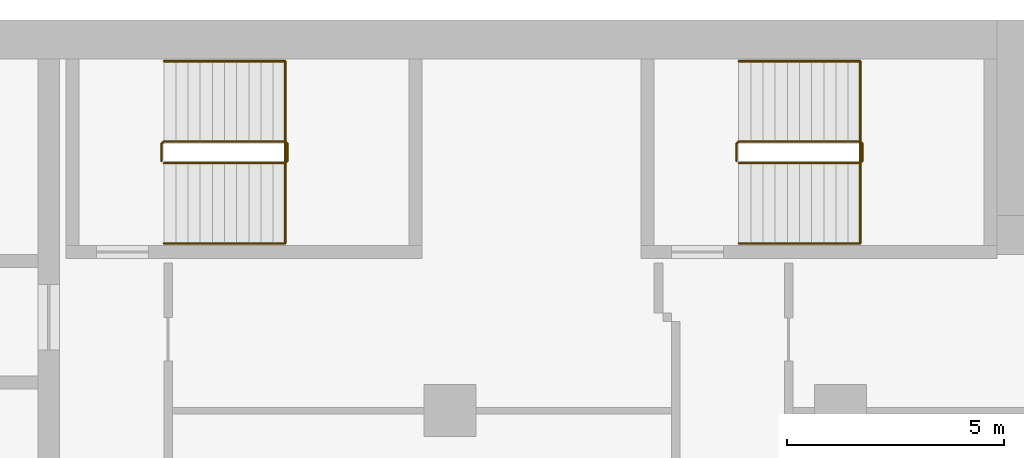
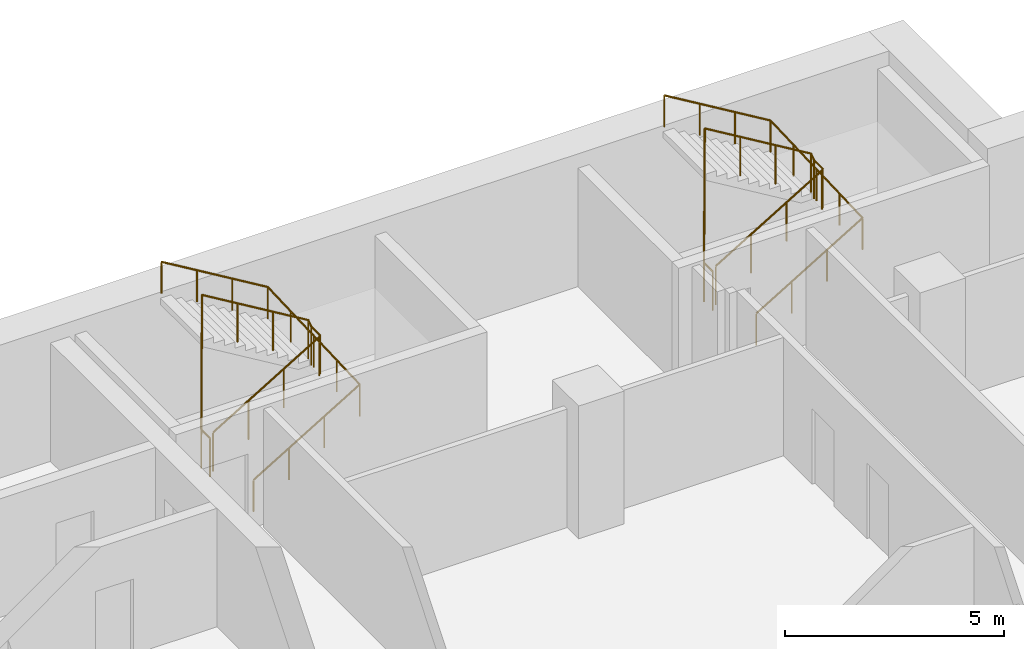
# One storey, part 23 of 23: 4 railings.
"""IFC4 building model written with IfcOpenShell, lengths in metres."""

import ifcopenshell
import ifcopenshell.guid

model = None  # the IFC model being written
_history = None  # IfcOwnerHistory: only IFC2X3 demands one
_inside = {}  # id of a spatial element -> (the spatial element, [elements in it])
_under = {}  # id of a project, library or spatial element -> (it, [spatial elements below it])
_declared = {}  # id of a project -> (the project, [libraries it declares])
_typed = {}  # id of a type object -> (the type object, [elements of that type])
_made_of = {}  # id of a material, layer set ... -> (it, [elements and type objects made of it])


def new_model(schema):
    """Start an empty IFC model of exactly this schema.

    Asked for "IFC4X3", IfcOpenShell would pick the latest addendum, in which some entities
    have other attributes; the version numbers below select the first issue.
    IFC2X3 requires an IfcOwnerHistory on every rooted entity: one is made here for all.
    """
    global model, _history
    if schema == "IFC4X3":
        model = ifcopenshell.file(schema_version=(4, 3, 0, 0))
    else:
        model = ifcopenshell.file(schema=schema)
    _inside.clear()
    _under.clear()
    _declared.clear()
    _typed.clear()
    _made_of.clear()
    _history = None
    if model.schema == "IFC2X3":
        org = make("IfcOrganization", Name="unknown")
        user = make(
            "IfcPersonAndOrganization",
            ThePerson=make("IfcPerson", FamilyName="unknown"),
            TheOrganization=org,
        )
        app = make(
            "IfcApplication",
            ApplicationDeveloper=org,
            Version="unknown",
            ApplicationFullName="unknown",
            ApplicationIdentifier="unknown",
        )
        _history = make(
            "IfcOwnerHistory",
            OwningUser=user,
            OwningApplication=app,
            ChangeAction="ADDED",
            CreationDate=0,
        )
    return model


def make(cls, **values):
    """One entity of the class cls with the attributes given. An attribute that is None is left unset."""
    return model.create_entity(
        cls, **{name: value for name, value in values.items() if value is not None}
    )


def rooted(cls, **values):
    """An entity with a GlobalId (a new one), such as an element, a storey or a relation."""
    return make(cls, GlobalId=ifcopenshell.guid.new(), OwnerHistory=_history, **values)


def si_unit(unit_type, name, prefix=None):
    """IfcSIUnit, for example si_unit("LENGTHUNIT", "METRE", prefix="MILLI")."""
    return make("IfcSIUnit", UnitType=unit_type, Prefix=prefix, Name=name)


def assignment(units):
    """IfcUnitAssignment: the units of a project."""
    return None if units is None else make("IfcUnitAssignment", Units=units)


def point(xyz):
    """IfcCartesianPoint."""
    return None if xyz is None else make("IfcCartesianPoint", Coordinates=xyz)


def direction(xyz):
    """IfcDirection."""
    return None if xyz is None else make("IfcDirection", DirectionRatios=xyz)


def frame(location, z_axis=None, x_axis=None):
    """IfcAxis2Placement3D, a coordinate frame: its origin and axes. An axis left out is left unset."""
    return make(
        "IfcAxis2Placement3D",
        Location=point(location),
        Axis=direction(z_axis),
        RefDirection=direction(x_axis),
    )


def frame_2d(location, x_axis=None):
    """IfcAxis2Placement2D, a coordinate frame in the plane: its origin and x axis."""
    return make(
        "IfcAxis2Placement2D", Location=point(location), RefDirection=direction(x_axis)
    )


def origin():
    """The frame at (0, 0, 0) with its axes left unset."""
    return frame((0.0, 0.0, 0.0))


def origin_2d():
    """The frame at (0, 0) in the plane with its x axis left unset."""
    return frame_2d((0.0, 0.0))


def place(relative_to, where):
    """IfcLocalPlacement: puts the frame where relative to a parent placement (None: the world)."""
    return make(
        "IfcLocalPlacement", PlacementRelTo=relative_to, RelativePlacement=where
    )


def context(
    kind, dimensions, precision=None, world=None, true_north=None, identifier=None
):
    """IfcGeometricRepresentationContext, for example the 3D "Model" context."""
    return make(
        "IfcGeometricRepresentationContext",
        ContextIdentifier=identifier,
        ContextType=kind,
        CoordinateSpaceDimension=dimensions,
        Precision=precision,
        WorldCoordinateSystem=world,
        TrueNorth=true_north,
    )


def subcontext(parent, identifier, kind, view, scale=None):
    """IfcGeometricRepresentationSubContext, for example "Body" below "Model"."""
    return make(
        "IfcGeometricRepresentationSubContext",
        ContextIdentifier=identifier,
        ContextType=kind,
        ParentContext=parent,
        TargetScale=scale,
        TargetView=view,
    )


def project(units=None, contexts=None):
    """IfcProject with its units and contexts."""
    return rooted(
        "IfcProject",
        Name="project",
        RepresentationContexts=contexts,
        UnitsInContext=assignment(units),
    )


def spatial(cls, under=None, at=None, **own):
    """A site, building, storey or space (cls), placed at a placement, below another one or the project."""
    s = rooted(cls, ObjectPlacement=at, **own)
    if under is not None:
        _under.setdefault(under.id(), (under, []))[1].append(s)
    return s


def profile(cls, at=None, kind="AREA", **sizes):
    """A parametric profile (cls). Its sizes go by their IFC names, for example OverallWidth=200.0."""
    return make(cls, ProfileType=kind, Position=at, **sizes)


def circle(**sizes):
    """IfcCircleProfileDef."""
    return profile("IfcCircleProfileDef", **sizes)


def extrude(swept, where, along, depth):
    """IfcExtrudedAreaSolid: the profile swept, set in the frame where, extruded along a direction by depth."""
    return make(
        "IfcExtrudedAreaSolid",
        SweptArea=swept,
        Position=where,
        ExtrudedDirection=direction(along),
        Depth=depth,
    )


def shape(context_of_items, identifier, shape_type, items):
    """IfcShapeRepresentation: the items that make up one representation, for example the "Body"."""
    return make(
        "IfcShapeRepresentation",
        ContextOfItems=context_of_items,
        RepresentationIdentifier=identifier,
        RepresentationType=shape_type,
        Items=items,
    )


def material(Name=None, Category=None):
    """IfcMaterial."""
    return make("IfcMaterial", Name=Name, Category=Category)


def made_of(thing, what):
    """Note that an element or type object is made of a material, layer set ...; save() writes the relation."""
    if what is not None:
        _made_of.setdefault(what.id(), (what, []))[1].append(thing)
    return thing


def type_object(cls, material=None, **own):
    """A type object (cls), such as IfcWallType, which elements share."""
    return made_of(rooted(cls, **own), material)


def element(
    cls,
    number,
    at=None,
    inside=None,
    cuts=None,
    type_object=None,
    material=None,
    context=None,
    identifier="Body",
    shape_type=None,
    held_by="IfcProductDefinitionShape",
    body=None,
    shapes=None,
    **own,
):
    """One element of the class cls, such as IfcWall. Its Tag is "e" and its number.

    at: its placement. inside: the storey or other place that contains it. cuts: it is an
    opening in that element (IfcRelVoidsElement). A single representation is given by context,
    identifier, shape_type and body (its items); several are given by shapes. held_by: the class
    of the entity that holds the representations. save() writes the other relations.
    """
    e = rooted(cls, Tag="e%d" % number, ObjectPlacement=at, **own)
    if body is not None:
        shapes = [shape(context, identifier, shape_type, body)]
    if shapes is not None:
        e.Representation = make(held_by, Representations=shapes)
    if inside is not None:
        _inside.setdefault(inside.id(), (inside, []))[1].append(e)
    if cuts is not None:
        rooted(
            "IfcRelVoidsElement", RelatingBuildingElement=cuts, RelatedOpeningElement=e
        )
    if type_object is not None:
        _typed.setdefault(type_object.id(), (type_object, []))[1].append(e)
    return made_of(e, material)


def aggregate(whole, parts):
    """IfcRelAggregates: a whole, such as a stair, and the parts it consists of."""
    return rooted("IfcRelAggregates", RelatingObject=whole, RelatedObjects=parts)


def save(model, path):
    """Write the relations noted so far, then the file.

    IfcRelAggregates (storeys below a building ...), IfcRelContainedInSpatialStructure (elements
    in a storey), IfcRelDefinesByType, IfcRelAssociatesMaterial and IfcRelDeclares: one each for
    every whole, place, type object, material and project.
    """
    for whole, parts in _under.values():
        aggregate(whole, parts)
    for where, things in _inside.values():
        rooted(
            "IfcRelContainedInSpatialStructure",
            RelatedElements=things,
            RelatingStructure=where,
        )
    for kind, things in _typed.values():
        rooted("IfcRelDefinesByType", RelatedObjects=things, RelatingType=kind)
    for what, things in _made_of.values():
        rooted("IfcRelAssociatesMaterial", RelatedObjects=things, RelatingMaterial=what)
    for by, libraries in _declared.values():
        rooted("IfcRelDeclares", RelatingContext=by, RelatedDefinitions=libraries)
    model.write(path)


model = new_model("IFC4")

# Units and contexts
model_context = context("Model", 3, precision=1e-05, world=origin(), true_north=direction((0.0, 1.0)))
body_context = subcontext(model_context, "Body", "Model", "MODEL_VIEW")
ifc_project = project(units=[si_unit("LENGTHUNIT", "METRE"), si_unit("AREAUNIT", "SQUARE_METRE"), si_unit("VOLUMEUNIT", "CUBIC_METRE"), si_unit("PLANEANGLEUNIT", "RADIAN"), si_unit("MASSUNIT", "GRAM", prefix="KILO")], contexts=[model_context])

# Site, building, storey
site_placement = place(None, origin())
site = spatial("IfcSite", under=ifc_project, at=site_placement, CompositionType="ELEMENT")
building_placement = place(site_placement, origin())
building = spatial("IfcBuilding", under=site, at=building_placement, Name="Hunhe Ridgeline Campus", CompositionType="ELEMENT")
storey_placement = place(building_placement, frame((0.0, 0.0, 152.300048828125)))
storey = spatial("IfcBuildingStorey", under=building, at=storey_placement, Name="L38", CompositionType="ELEMENT", Elevation=152.300048828125)

# Railings
ifc_material_1 = material(Name="Stainless steel balustrade", Category="steel")
railing_type_1 = type_object("IfcRailingType", Name="Stair guard 1100 stainless", PredefinedType="GUARDRAIL", material=ifc_material_1)
railing_1_placement = place(storey_placement, frame((38.39990234375, 95.699951171875, 0.168212890625)))
element("IfcRailing", 1, at=railing_1_placement, inside=storey, type_object=railing_type_1, Name="L38 stair E1 guard", PredefinedType="GUARDRAIL", context=body_context, shape_type="SweptSolid", body=[
    extrude(circle(Radius=0.02392578125, at=origin_2d()), frame((0.0, 0.0, 1.076171875), z_axis=(0.857275202839, 0.0, 0.514858452973), x_axis=(0.0, 1.0, 0.0)), (0.0, 0.0, 1.0), 3.26611328125),
    extrude(circle(Radius=0.02392578125, at=origin_2d()), frame((2.800048828125, 0.0, 2.7578125), z_axis=(0.707106781187, 0.707106781187, 0.0), x_axis=(-0.707106781187, 0.707106781187, 0.0)), (0.0, 0.0, 1.0), 0.07080078125),
    extrude(circle(Radius=0.02392578125, at=origin_2d()), frame((2.85009765625, 0.050048828125, 2.7578125), z_axis=(0.0, 1.0, 0.0), x_axis=(-1.0, 0.0, 0.0)), (0.0, 0.0, 1.0), 0.39990234375),
    extrude(circle(Radius=0.02392578125, at=origin_2d()), frame((2.85009765625, 0.449951171875, 2.7578125), z_axis=(-0.274243871929, 0.274243871929, 0.92172696468), x_axis=(-0.707106781187, -0.707106781187, 0.0)), (0.0, 0.0, 1.0), 0.1826171875),
    extrude(circle(Radius=0.02392578125, at=origin_2d()), frame((2.800048828125, 0.5, 2.92578125), z_axis=(-0.857242210791, 0.0, 0.514913383045), x_axis=(0.0, -1.0, 0.0)), (0.0, 0.0, 1.0), 3.266357421875),
    extrude(circle(Radius=0.02392578125, at=origin_2d()), frame((0.0, 0.5, 4.60791015625), z_axis=(-0.013458453615, -0.013524426427, -0.999817963389), x_axis=(0.708833529934, -0.705375805398, 0.0)), (0.0, 0.0, 1.0), 3.70068359375),
    extrude(circle(Radius=0.02392578125, at=origin_2d()), frame((-0.0498046875, 0.449951171875, 0.90771484375), z_axis=(0.0, -1.0, 0.0), x_axis=(1.0, 0.0, 0.0)), (0.0, 0.0, 1.0), 0.39990234375),
    extrude(circle(Radius=0.02099609375, at=origin_2d()), origin(), (0.0, 0.0, 1.0), 1.052001953125),
    extrude(circle(Radius=0.02099609375, at=origin_2d()), frame((0.933349609375, 0.0, 0.560546875)), (0.0, 0.0, 1.0), 1.052001953125),
    extrude(circle(Radius=0.02099609375, at=origin_2d()), frame((1.86669921875, 0.0, 1.12109375)), (0.0, 0.0, 1.0), 1.052001953125),
    extrude(circle(Radius=0.02099609375, at=origin_2d()), frame((2.800048828125, 0.0, 1.681640625)), (0.0, 0.0, 1.0), 1.052001953125),
    extrude(circle(Radius=0.02099609375, at=origin_2d()), frame((2.85009765625, 0.050048828125, 1.681640625)), (0.0, 0.0, 1.0), 1.052001953125),
    extrude(circle(Radius=0.02099609375, at=origin_2d()), frame((2.85009765625, 0.449951171875, 1.681640625)), (0.0, 0.0, 1.0), 1.052001953125),
    extrude(circle(Radius=0.02099609375, at=origin_2d()), frame((2.800048828125, 0.5, 1.849853515625)), (0.0, 0.0, 1.0), 1.052001953125),
    extrude(circle(Radius=0.02099609375, at=origin_2d()), frame((1.86669921875, 0.5, 2.410400390625)), (0.0, 0.0, 1.0), 1.052001953125),
    extrude(circle(Radius=0.02099609375, at=origin_2d()), frame((0.933349609375, 0.5, 2.97119140625)), (0.0, 0.0, 1.0), 1.052001953125),
    extrude(circle(Radius=0.02099609375, at=origin_2d()), frame((0.0, 0.5, 3.53173828125)), (0.0, 0.0, 1.0), 1.052001953125),
    extrude(circle(Radius=0.02099609375, at=origin_2d()), frame((-0.012451171875, 0.487548828125, 2.606689453125)), (0.0, 0.0, 1.0), 1.052001953125),
    extrude(circle(Radius=0.02099609375, at=origin_2d()), frame((-0.02490234375, 0.47509765625, 1.681640625)), (0.0, 0.0, 1.0), 1.052001953125),
    extrude(circle(Radius=0.02099609375, at=origin_2d()), frame((-0.037353515625, 0.46240234375, 0.7568359375)), (0.0, 0.0, 1.0), 1.052001953125),
    extrude(circle(Radius=0.02099609375, at=origin_2d()), frame((-0.0498046875, 0.449951171875, -0.168212890625)), (0.0, 0.0, 1.0), 1.052001953125),
    extrude(circle(Radius=0.02099609375, at=origin_2d()), frame((-0.0498046875, 0.050048828125, -0.168212890625)), (0.0, 0.0, 1.0), 1.052001953125),
])
railing_2_placement = place(storey_placement, frame((51.64990234375, 95.699951171875, 0.168212890625)))
element("IfcRailing", 2, at=railing_2_placement, inside=storey, type_object=railing_type_1, Name="L38 stair E2 guard", PredefinedType="GUARDRAIL", context=body_context, shape_type="SweptSolid", body=[
    extrude(circle(Radius=0.02392578125, at=origin_2d()), frame((0.0, 0.0, 1.076171875), z_axis=(0.857275202839, 0.0, 0.514858452973), x_axis=(0.0, 1.0, 0.0)), (0.0, 0.0, 1.0), 3.26611328125),
    extrude(circle(Radius=0.02392578125, at=origin_2d()), frame((2.800048828125, 0.0, 2.7578125), z_axis=(0.707106781187, 0.707106781187, 0.0), x_axis=(-0.707106781187, 0.707106781187, 0.0)), (0.0, 0.0, 1.0), 0.07080078125),
    extrude(circle(Radius=0.02392578125, at=origin_2d()), frame((2.85009765625, 0.050048828125, 2.7578125), z_axis=(0.0, 1.0, 0.0), x_axis=(-1.0, 0.0, 0.0)), (0.0, 0.0, 1.0), 0.39990234375),
    extrude(circle(Radius=0.02392578125, at=origin_2d()), frame((2.85009765625, 0.449951171875, 2.7578125), z_axis=(-0.274243871929, 0.274243871929, 0.92172696468), x_axis=(-0.707106781187, -0.707106781187, 0.0)), (0.0, 0.0, 1.0), 0.1826171875),
    extrude(circle(Radius=0.02392578125, at=origin_2d()), frame((2.800048828125, 0.5, 2.92578125), z_axis=(-0.857242210791, 0.0, 0.514913383045), x_axis=(0.0, -1.0, 0.0)), (0.0, 0.0, 1.0), 3.266357421875),
    extrude(circle(Radius=0.02392578125, at=origin_2d()), frame((0.0, 0.5, 4.60791015625), z_axis=(-0.013458453615, -0.013524426427, -0.999817963389), x_axis=(0.708833529934, -0.705375805398, 0.0)), (0.0, 0.0, 1.0), 3.70068359375),
    extrude(circle(Radius=0.02392578125, at=origin_2d()), frame((-0.0498046875, 0.449951171875, 0.90771484375), z_axis=(0.0, -1.0, 0.0), x_axis=(1.0, 0.0, 0.0)), (0.0, 0.0, 1.0), 0.39990234375),
    extrude(circle(Radius=0.02099609375, at=origin_2d()), origin(), (0.0, 0.0, 1.0), 1.052001953125),
    extrude(circle(Radius=0.02099609375, at=origin_2d()), frame((0.933349609375, 0.0, 0.560546875)), (0.0, 0.0, 1.0), 1.052001953125),
    extrude(circle(Radius=0.02099609375, at=origin_2d()), frame((1.86669921875, 0.0, 1.12109375)), (0.0, 0.0, 1.0), 1.052001953125),
    extrude(circle(Radius=0.02099609375, at=origin_2d()), frame((2.800048828125, 0.0, 1.681640625)), (0.0, 0.0, 1.0), 1.052001953125),
    extrude(circle(Radius=0.02099609375, at=origin_2d()), frame((2.85009765625, 0.050048828125, 1.681640625)), (0.0, 0.0, 1.0), 1.052001953125),
    extrude(circle(Radius=0.02099609375, at=origin_2d()), frame((2.85009765625, 0.449951171875, 1.681640625)), (0.0, 0.0, 1.0), 1.052001953125),
    extrude(circle(Radius=0.02099609375, at=origin_2d()), frame((2.800048828125, 0.5, 1.849853515625)), (0.0, 0.0, 1.0), 1.052001953125),
    extrude(circle(Radius=0.02099609375, at=origin_2d()), frame((1.86669921875, 0.5, 2.410400390625)), (0.0, 0.0, 1.0), 1.052001953125),
    extrude(circle(Radius=0.02099609375, at=origin_2d()), frame((0.933349609375, 0.5, 2.97119140625)), (0.0, 0.0, 1.0), 1.052001953125),
    extrude(circle(Radius=0.02099609375, at=origin_2d()), frame((0.0, 0.5, 3.53173828125)), (0.0, 0.0, 1.0), 1.052001953125),
    extrude(circle(Radius=0.02099609375, at=origin_2d()), frame((-0.012451171875, 0.487548828125, 2.606689453125)), (0.0, 0.0, 1.0), 1.052001953125),
    extrude(circle(Radius=0.02099609375, at=origin_2d()), frame((-0.02490234375, 0.47509765625, 1.681640625)), (0.0, 0.0, 1.0), 1.052001953125),
    extrude(circle(Radius=0.02099609375, at=origin_2d()), frame((-0.037353515625, 0.46240234375, 0.7568359375)), (0.0, 0.0, 1.0), 1.052001953125),
    extrude(circle(Radius=0.02099609375, at=origin_2d()), frame((-0.0498046875, 0.449951171875, -0.168212890625)), (0.0, 0.0, 1.0), 1.052001953125),
    extrude(circle(Radius=0.02099609375, at=origin_2d()), frame((-0.0498046875, 0.050048828125, -0.168212890625)), (0.0, 0.0, 1.0), 1.052001953125),
])
ifc_material_2 = material(Name="Stainless steel handrail", Category="steel")
railing_type_2 = type_object("IfcRailingType", Name="Stair handrail 900 stainless", PredefinedType="HANDRAIL", material=ifc_material_2)
railing_3_placement = place(storey_placement, frame((38.39990234375, 93.85009765625, 0.168212890625)))
element("IfcRailing", 3, at=railing_3_placement, inside=storey, type_object=railing_type_2, Name="L38 stair E1 handrail", PredefinedType="HANDRAIL", context=body_context, shape_type="SweptSolid", body=[
    extrude(circle(Radius=0.02392578125, at=origin_2d()), frame((0.0, 0.0, 0.8759765625), z_axis=(0.857275202839, 0.0, 0.514858452973), x_axis=(0.0, 1.0, 0.0)), (0.0, 0.0, 1.0), 3.26611328125),
    extrude(circle(Radius=0.02392578125, at=origin_2d()), frame((2.800048828125, 0.0, 2.5576171875), z_axis=(0.0, 0.999198916169, 0.040019069537), x_axis=(-1.0, 0.0, 0.0)), (0.0, 0.0, 1.0), 4.203369140625),
    extrude(circle(Radius=0.02392578125, at=origin_2d()), frame((2.800048828125, 4.199951171875, 2.7255859375), z_axis=(-0.857242210791, 0.0, 0.514913383045), x_axis=(0.0, -1.0, 0.0)), (0.0, 0.0, 1.0), 3.266357421875),
    extrude(circle(Radius=0.02099609375, at=origin_2d()), origin(), (0.0, 0.0, 1.0), 0.851806640625),
    extrude(circle(Radius=0.02099609375, at=origin_2d()), frame((0.933349609375, 0.0, 0.560546875)), (0.0, 0.0, 1.0), 0.851806640625),
    extrude(circle(Radius=0.02099609375, at=origin_2d()), frame((1.86669921875, 0.0, 1.12109375)), (0.0, 0.0, 1.0), 0.851806640625),
    extrude(circle(Radius=0.02099609375, at=origin_2d()), frame((2.800048828125, 0.0, 1.681640625)), (0.0, 0.0, 1.0), 0.851806640625),
    extrude(circle(Radius=0.02099609375, at=origin_2d()), frame((2.800048828125, 1.050048828125, 1.7236328125)), (0.0, 0.0, 1.0), 0.851806640625),
    extrude(circle(Radius=0.02099609375, at=origin_2d()), frame((2.800048828125, 2.10009765625, 1.765625)), (0.0, 0.0, 1.0), 0.851806640625),
    extrude(circle(Radius=0.02099609375, at=origin_2d()), frame((2.800048828125, 3.14990234375, 1.807861328125)), (0.0, 0.0, 1.0), 0.851806640625),
    extrude(circle(Radius=0.02099609375, at=origin_2d()), frame((2.800048828125, 4.199951171875, 1.849853515625)), (0.0, 0.0, 1.0), 0.851806640625),
    extrude(circle(Radius=0.02099609375, at=origin_2d()), frame((1.86669921875, 4.199951171875, 2.410400390625)), (0.0, 0.0, 1.0), 0.851806640625),
    extrude(circle(Radius=0.02099609375, at=origin_2d()), frame((0.933349609375, 4.199951171875, 2.97119140625)), (0.0, 0.0, 1.0), 0.851806640625),
    extrude(circle(Radius=0.02099609375, at=origin_2d()), frame((0.0, 4.199951171875, 3.53173828125)), (0.0, 0.0, 1.0), 0.851806640625),
])
railing_4_placement = place(storey_placement, frame((51.64990234375, 93.85009765625, 0.168212890625)))
element("IfcRailing", 4, at=railing_4_placement, inside=storey, type_object=railing_type_2, Name="L38 stair E2 handrail", PredefinedType="HANDRAIL", context=body_context, shape_type="SweptSolid", body=[
    extrude(circle(Radius=0.02392578125, at=origin_2d()), frame((0.0, 0.0, 0.8759765625), z_axis=(0.857275202839, 0.0, 0.514858452973), x_axis=(0.0, 1.0, 0.0)), (0.0, 0.0, 1.0), 3.26611328125),
    extrude(circle(Radius=0.02392578125, at=origin_2d()), frame((2.800048828125, 0.0, 2.5576171875), z_axis=(0.0, 0.999198916169, 0.040019069537), x_axis=(-1.0, 0.0, 0.0)), (0.0, 0.0, 1.0), 4.203369140625),
    extrude(circle(Radius=0.02392578125, at=origin_2d()), frame((2.800048828125, 4.199951171875, 2.7255859375), z_axis=(-0.857242210791, 0.0, 0.514913383045), x_axis=(0.0, -1.0, 0.0)), (0.0, 0.0, 1.0), 3.266357421875),
    extrude(circle(Radius=0.02099609375, at=origin_2d()), origin(), (0.0, 0.0, 1.0), 0.851806640625),
    extrude(circle(Radius=0.02099609375, at=origin_2d()), frame((0.933349609375, 0.0, 0.560546875)), (0.0, 0.0, 1.0), 0.851806640625),
    extrude(circle(Radius=0.02099609375, at=origin_2d()), frame((1.86669921875, 0.0, 1.12109375)), (0.0, 0.0, 1.0), 0.851806640625),
    extrude(circle(Radius=0.02099609375, at=origin_2d()), frame((2.800048828125, 0.0, 1.681640625)), (0.0, 0.0, 1.0), 0.851806640625),
    extrude(circle(Radius=0.02099609375, at=origin_2d()), frame((2.800048828125, 1.050048828125, 1.7236328125)), (0.0, 0.0, 1.0), 0.851806640625),
    extrude(circle(Radius=0.02099609375, at=origin_2d()), frame((2.800048828125, 2.10009765625, 1.765625)), (0.0, 0.0, 1.0), 0.851806640625),
    extrude(circle(Radius=0.02099609375, at=origin_2d()), frame((2.800048828125, 3.14990234375, 1.807861328125)), (0.0, 0.0, 1.0), 0.851806640625),
    extrude(circle(Radius=0.02099609375, at=origin_2d()), frame((2.800048828125, 4.199951171875, 1.849853515625)), (0.0, 0.0, 1.0), 0.851806640625),
    extrude(circle(Radius=0.02099609375, at=origin_2d()), frame((1.86669921875, 4.199951171875, 2.410400390625)), (0.0, 0.0, 1.0), 0.851806640625),
    extrude(circle(Radius=0.02099609375, at=origin_2d()), frame((0.933349609375, 4.199951171875, 2.97119140625)), (0.0, 0.0, 1.0), 0.851806640625),
    extrude(circle(Radius=0.02099609375, at=origin_2d()), frame((0.0, 4.199951171875, 3.53173828125)), (0.0, 0.0, 1.0), 0.851806640625),
])

save(model, "model.ifc")
